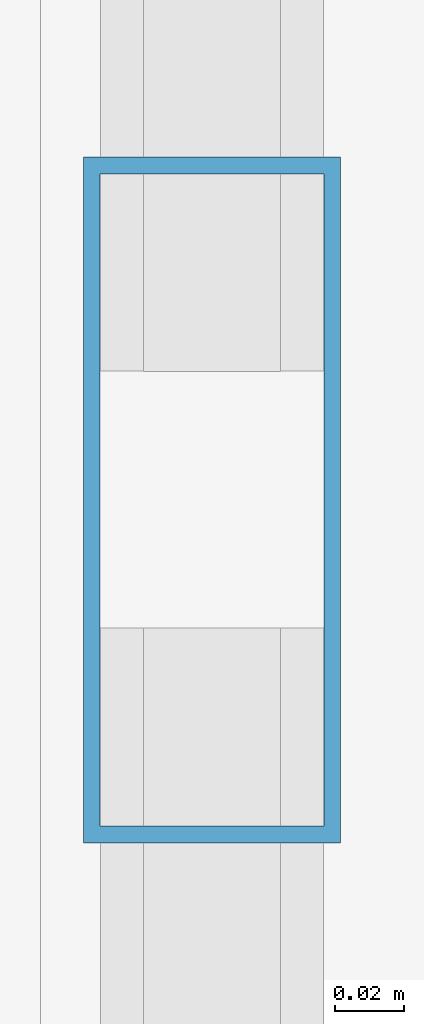
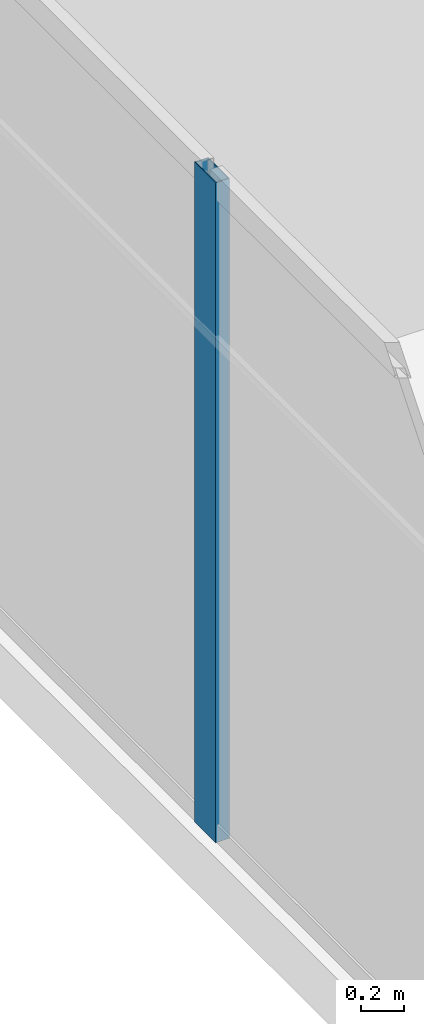
# One storey, part 8 of 34: 1 member, 1 element without a shape of its own.
"""IFC4 building model written with IfcOpenShell, lengths in metres."""

import ifcopenshell
import ifcopenshell.guid

model = None  # the IFC model being written
_history = None  # IfcOwnerHistory: only IFC2X3 demands one
_inside = {}  # id of a spatial element -> (the spatial element, [elements in it])
_under = {}  # id of a project, library or spatial element -> (it, [spatial elements below it])
_declared = {}  # id of a project -> (the project, [libraries it declares])
_typed = {}  # id of a type object -> (the type object, [elements of that type])
_made_of = {}  # id of a material, layer set ... -> (it, [elements and type objects made of it])


def new_model(schema):
    """Start an empty IFC model of exactly this schema.

    Asked for "IFC4X3", IfcOpenShell would pick the latest addendum, in which some entities
    have other attributes; the version numbers below select the first issue.
    IFC2X3 requires an IfcOwnerHistory on every rooted entity: one is made here for all.
    """
    global model, _history
    if schema == "IFC4X3":
        model = ifcopenshell.file(schema_version=(4, 3, 0, 0))
    else:
        model = ifcopenshell.file(schema=schema)
    _inside.clear()
    _under.clear()
    _declared.clear()
    _typed.clear()
    _made_of.clear()
    _history = None
    if model.schema == "IFC2X3":
        org = make("IfcOrganization", Name="unknown")
        user = make(
            "IfcPersonAndOrganization",
            ThePerson=make("IfcPerson", FamilyName="unknown"),
            TheOrganization=org,
        )
        app = make(
            "IfcApplication",
            ApplicationDeveloper=org,
            Version="unknown",
            ApplicationFullName="unknown",
            ApplicationIdentifier="unknown",
        )
        _history = make(
            "IfcOwnerHistory",
            OwningUser=user,
            OwningApplication=app,
            ChangeAction="ADDED",
            CreationDate=0,
        )
    return model


def make(cls, **values):
    """One entity of the class cls with the attributes given. An attribute that is None is left unset."""
    return model.create_entity(
        cls, **{name: value for name, value in values.items() if value is not None}
    )


def rooted(cls, **values):
    """An entity with a GlobalId (a new one), such as an element, a storey or a relation."""
    return make(cls, GlobalId=ifcopenshell.guid.new(), OwnerHistory=_history, **values)


def si_unit(unit_type, name, prefix=None):
    """IfcSIUnit, for example si_unit("LENGTHUNIT", "METRE", prefix="MILLI")."""
    return make("IfcSIUnit", UnitType=unit_type, Prefix=prefix, Name=name)


def assignment(units):
    """IfcUnitAssignment: the units of a project."""
    return None if units is None else make("IfcUnitAssignment", Units=units)


def point(xyz):
    """IfcCartesianPoint."""
    return None if xyz is None else make("IfcCartesianPoint", Coordinates=xyz)


def direction(xyz):
    """IfcDirection."""
    return None if xyz is None else make("IfcDirection", DirectionRatios=xyz)


def frame(location, z_axis=None, x_axis=None):
    """IfcAxis2Placement3D, a coordinate frame: its origin and axes. An axis left out is left unset."""
    return make(
        "IfcAxis2Placement3D",
        Location=point(location),
        Axis=direction(z_axis),
        RefDirection=direction(x_axis),
    )


def frame_2d(location, x_axis=None):
    """IfcAxis2Placement2D, a coordinate frame in the plane: its origin and x axis."""
    return make(
        "IfcAxis2Placement2D", Location=point(location), RefDirection=direction(x_axis)
    )


def origin():
    """The frame at (0, 0, 0) with its axes left unset."""
    return frame((0.0, 0.0, 0.0))


def origin_2d():
    """The frame at (0, 0) in the plane with its x axis left unset."""
    return frame_2d((0.0, 0.0))


def place(relative_to, where):
    """IfcLocalPlacement: puts the frame where relative to a parent placement (None: the world)."""
    return make(
        "IfcLocalPlacement", PlacementRelTo=relative_to, RelativePlacement=where
    )


def context(
    kind, dimensions, precision=None, world=None, true_north=None, identifier=None
):
    """IfcGeometricRepresentationContext, for example the 3D "Model" context."""
    return make(
        "IfcGeometricRepresentationContext",
        ContextIdentifier=identifier,
        ContextType=kind,
        CoordinateSpaceDimension=dimensions,
        Precision=precision,
        WorldCoordinateSystem=world,
        TrueNorth=true_north,
    )


def subcontext(parent, identifier, kind, view, scale=None):
    """IfcGeometricRepresentationSubContext, for example "Body" below "Model"."""
    return make(
        "IfcGeometricRepresentationSubContext",
        ContextIdentifier=identifier,
        ContextType=kind,
        ParentContext=parent,
        TargetScale=scale,
        TargetView=view,
    )


def project(units=None, contexts=None):
    """IfcProject with its units and contexts."""
    return rooted(
        "IfcProject",
        Name="project",
        RepresentationContexts=contexts,
        UnitsInContext=assignment(units),
    )


def spatial(cls, under=None, at=None, **own):
    """A site, building, storey or space (cls), placed at a placement, below another one or the project."""
    s = rooted(cls, ObjectPlacement=at, **own)
    if under is not None:
        _under.setdefault(under.id(), (under, []))[1].append(s)
    return s


def profile(cls, at=None, kind="AREA", **sizes):
    """A parametric profile (cls). Its sizes go by their IFC names, for example OverallWidth=200.0."""
    return make(cls, ProfileType=kind, Position=at, **sizes)


def hollow_rectangle(**sizes):
    """IfcRectangleHollowProfileDef."""
    return profile("IfcRectangleHollowProfileDef", **sizes)


def extrude(swept, where, along, depth):
    """IfcExtrudedAreaSolid: the profile swept, set in the frame where, extruded along a direction by depth."""
    return make(
        "IfcExtrudedAreaSolid",
        SweptArea=swept,
        Position=where,
        ExtrudedDirection=direction(along),
        Depth=depth,
    )


def shape(context_of_items, identifier, shape_type, items):
    """IfcShapeRepresentation: the items that make up one representation, for example the "Body"."""
    return make(
        "IfcShapeRepresentation",
        ContextOfItems=context_of_items,
        RepresentationIdentifier=identifier,
        RepresentationType=shape_type,
        Items=items,
    )


def source(mapping_origin, context_of_items, identifier, shape_type, items):
    """IfcRepresentationMap: a shape defined once, which mapped items show again and again."""
    return make(
        "IfcRepresentationMap",
        MappingOrigin=mapping_origin,
        MappedRepresentation=shape(context_of_items, identifier, shape_type, items),
    )


def transform(
    local_origin,
    x_axis=None,
    y_axis=None,
    z_axis=None,
    scale=None,
    scale2=None,
    scale3=None,
    uniform=True,
):
    """IfcCartesianTransformationOperator3D, or its non-uniform kind. x_axis, y_axis, z_axis: its Axis1, 2, 3."""
    if uniform:
        return make(
            "IfcCartesianTransformationOperator3D",
            Axis1=direction(x_axis),
            Axis2=direction(y_axis),
            LocalOrigin=point(local_origin),
            Scale=scale,
            Axis3=direction(z_axis),
        )
    return make(
        "IfcCartesianTransformationOperator3DnonUniform",
        Axis1=direction(x_axis),
        Axis2=direction(y_axis),
        LocalOrigin=point(local_origin),
        Scale=scale,
        Axis3=direction(z_axis),
        Scale2=scale2,
        Scale3=scale3,
    )


def mapped(mapping_source, mapping_target):
    """IfcMappedItem: shows the shape of a source again, moved by a transform."""
    return make(
        "IfcMappedItem", MappingSource=mapping_source, MappingTarget=mapping_target
    )


def material(Name=None, Category=None):
    """IfcMaterial."""
    return make("IfcMaterial", Name=Name, Category=Category)


def layer(
    of_material, thickness, ventilated=None, Name=None, Category=None, Priority=None
):
    """IfcMaterialLayer: one layer of a wall or slab, of a material (None: an air gap)."""
    return make(
        "IfcMaterialLayer",
        Material=of_material,
        LayerThickness=thickness,
        IsVentilated=ventilated,
        Name=Name,
        Category=Category,
        Priority=Priority,
    )


def layer_set(layers, Name=None):
    """IfcMaterialLayerSet."""
    return make("IfcMaterialLayerSet", MaterialLayers=layers, LayerSetName=Name)


def material_profile(
    of_material, cross_section, Name=None, Category=None, Priority=None
):
    """IfcMaterialProfile: a cross section and its material."""
    return make(
        "IfcMaterialProfile",
        Name=Name,
        Material=of_material,
        Profile=cross_section,
        Priority=Priority,
        Category=Category,
    )


def profile_set(profiles, Name=None, composite=None):
    """IfcMaterialProfileSet."""
    return make(
        "IfcMaterialProfileSet",
        Name=Name,
        MaterialProfiles=profiles,
        CompositeProfile=composite,
    )


def made_of(thing, what):
    """Note that an element or type object is made of a material, layer set ...; save() writes the relation."""
    if what is not None:
        _made_of.setdefault(what.id(), (what, []))[1].append(thing)
    return thing


def type_object(cls, material=None, **own):
    """A type object (cls), such as IfcWallType, which elements share."""
    return made_of(rooted(cls, **own), material)


def type_shapes(of_type, sources):
    """Give a type object the sources (RepresentationMaps) that its elements show as mapped items."""
    of_type.RepresentationMaps = sources


def element(
    cls,
    number,
    at=None,
    inside=None,
    cuts=None,
    type_object=None,
    material=None,
    context=None,
    identifier="Body",
    shape_type=None,
    held_by="IfcProductDefinitionShape",
    body=None,
    shapes=None,
    **own,
):
    """One element of the class cls, such as IfcWall. Its Tag is "e" and its number.

    at: its placement. inside: the storey or other place that contains it. cuts: it is an
    opening in that element (IfcRelVoidsElement). A single representation is given by context,
    identifier, shape_type and body (its items); several are given by shapes. held_by: the class
    of the entity that holds the representations. save() writes the other relations.
    """
    e = rooted(cls, Tag="e%d" % number, ObjectPlacement=at, **own)
    if body is not None:
        shapes = [shape(context, identifier, shape_type, body)]
    if shapes is not None:
        e.Representation = make(held_by, Representations=shapes)
    if inside is not None:
        _inside.setdefault(inside.id(), (inside, []))[1].append(e)
    if cuts is not None:
        rooted(
            "IfcRelVoidsElement", RelatingBuildingElement=cuts, RelatedOpeningElement=e
        )
    if type_object is not None:
        _typed.setdefault(type_object.id(), (type_object, []))[1].append(e)
    return made_of(e, material)


def aggregate(whole, parts):
    """IfcRelAggregates: a whole, such as a stair, and the parts it consists of."""
    return rooted("IfcRelAggregates", RelatingObject=whole, RelatedObjects=parts)


def save(model, path):
    """Write the relations noted so far, then the file.

    IfcRelAggregates (storeys below a building ...), IfcRelContainedInSpatialStructure (elements
    in a storey), IfcRelDefinesByType, IfcRelAssociatesMaterial and IfcRelDeclares: one each for
    every whole, place, type object, material and project.
    """
    for whole, parts in _under.values():
        aggregate(whole, parts)
    for where, things in _inside.values():
        rooted(
            "IfcRelContainedInSpatialStructure",
            RelatedElements=things,
            RelatingStructure=where,
        )
    for kind, things in _typed.values():
        rooted("IfcRelDefinesByType", RelatedObjects=things, RelatingType=kind)
    for what, things in _made_of.values():
        rooted("IfcRelAssociatesMaterial", RelatedObjects=things, RelatingMaterial=what)
    for by, libraries in _declared.values():
        rooted("IfcRelDeclares", RelatingContext=by, RelatedDefinitions=libraries)
    model.write(path)


model = new_model("IFC4")

# Units and contexts
model_context = context("Model", 3, precision=1e-05, world=origin(), true_north=direction((0.0, 1.0)))
body_context = subcontext(model_context, "Body", "Model", "MODEL_VIEW")
ifc_project = project(units=[si_unit("LENGTHUNIT", "METRE"), si_unit("AREAUNIT", "SQUARE_METRE"), si_unit("VOLUMEUNIT", "CUBIC_METRE"), si_unit("PLANEANGLEUNIT", "RADIAN"), si_unit("MASSUNIT", "GRAM", prefix="KILO")], contexts=[model_context])

# Site, building, storey
site_placement = place(None, origin())
site = spatial("IfcSite", under=ifc_project, at=site_placement, CompositionType="ELEMENT")
building_placement = place(site_placement, origin())
building = spatial("IfcBuilding", under=site, at=building_placement, Name="Haelvirn Gate Laboratories", CompositionType="ELEMENT")
storey_placement = place(building_placement, frame((0.0, 0.0, 178.89990234375)))
storey = spatial("IfcBuildingStorey", under=building, at=storey_placement, Name="L43", CompositionType="ELEMENT", Elevation=178.89990234375)

# Curtain wall, member
ifc_material_1 = material(Name="Anodised bronze unitised aluminium & triple low-E glass", Category="aluminium")
ifc_layer = layer(ifc_material_1, 0.179931640625, Name="CW-SYS-3")
ifc_layer_set = layer_set([ifc_layer], Name="Anodised bronze unitised aluminium & triple low-E glass")
curtain_wall_type = type_object("IfcCurtainWallType", Name="CW-SYS-3", PredefinedType="NOTDEFINED", material=ifc_layer_set)
curtain_wall_placement = place(storey_placement, origin())
curtain_wall = element("IfcCurtainWall", 1, at=curtain_wall_placement, inside=storey, type_object=curtain_wall_type, Name="L43 Unitised Curtain Wall CW-L43-P0-E17", PredefinedType="NOTDEFINED")
ifc_material_2 = material(Name="Extruded aluminium 6063-T6 (anodised bronze)", Category="aluminium")
ifc_material_profile = material_profile(ifc_material_2, hollow_rectangle(XDim=0.074951171875, YDim=0.199951171875, WallThickness=0.0048828125, at=origin_2d()), Name="CWM-200x75x5")
ifc_profile_set = profile_set([ifc_material_profile], Name="Extruded aluminium 6063-T6 (anodised bronze)")
member_type = type_object("IfcMemberType", Name="CWM-T200", PredefinedType="MULLION", material=ifc_profile_set)
shared_shape = source(origin(), body_context, "Body", "SweptSolid", [
    extrude(hollow_rectangle(XDim=0.074951171875, YDim=0.199951171875, WallThickness=0.0048828125, at=origin_2d()), origin(), (0.0, 0.0, 1.0), 3.7900390625),
])
type_shapes(member_type, [shared_shape])
member_placement = place(storey_placement, frame((2.10009765625, 30.966552734375, 0.0), z_axis=(0.0, 0.0, 1.0), x_axis=(1.0, 0.0, 0.0)))
member = element("IfcMember", 2, at=member_placement, type_object=member_type, Name="CW3 mullion 2", PredefinedType="MULLION", context=body_context, shape_type="MappedRepresentation", body=[
    mapped(shared_shape, transform((0.0, 0.0, 0.0), scale=1.0)),
])
aggregate(curtain_wall, [member])

save(model, "model.ifc")
